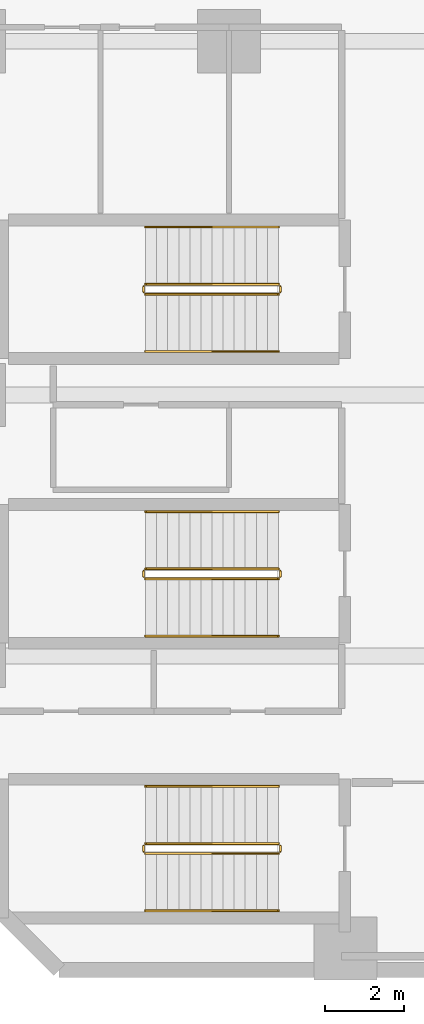
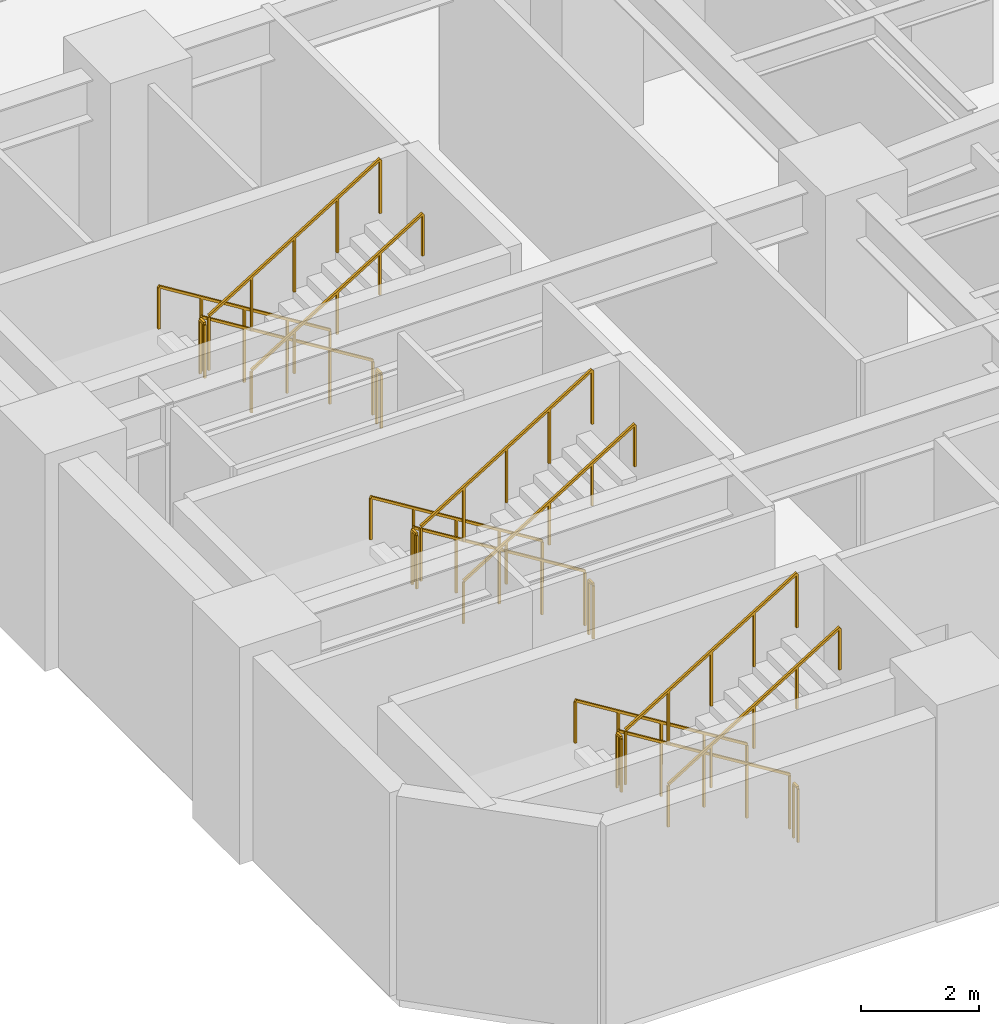
# One storey, part 5 of 7: 18 railings.
"""IFC4 building model written with IfcOpenShell, lengths in metres."""

from ifc_helpers import new_model, si_unit, direction, frame, origin, origin_2d, place, context, subcontext, project, spatial, rectangle, extrude, material, type_object, element, save


model = new_model("IFC4")

# Units and contexts
model_context = context("Model", 3, precision=1e-05, world=origin(), true_north=direction((0.0, 1.0)))
body_context = subcontext(model_context, "Body", "Model", "MODEL_VIEW")
ifc_project = project(units=[si_unit("LENGTHUNIT", "METRE"), si_unit("AREAUNIT", "SQUARE_METRE"), si_unit("VOLUMEUNIT", "CUBIC_METRE"), si_unit("PLANEANGLEUNIT", "RADIAN"), si_unit("MASSUNIT", "GRAM", prefix="KILO")], contexts=[model_context])

# Site, building, storey
site_placement = place(None, origin())
site = spatial("IfcSite", under=ifc_project, at=site_placement, CompositionType="ELEMENT")
building_placement = place(site_placement, origin())
building = spatial("IfcBuilding", under=site, at=building_placement, Name="Mawjaban Terraces University", CompositionType="ELEMENT")
storey_placement = place(building_placement, frame((0.0, 0.0, -4.5)))
storey = spatial("IfcBuildingStorey", under=building, at=storey_placement, Name="B1", CompositionType="ELEMENT", Elevation=-4.5)

# Railings
ifc_material_1 = material(Name="Brushed stainless steel 316", Category="steel")
railing_type_1 = type_object("IfcRailingType", Name="StairWallHandrail_900", PredefinedType="HANDRAIL", material=ifc_material_1)
railing_1_placement = place(storey_placement, frame((30.050048828125, 4.64990234375, 0.173095703125)))
element("IfcRailing", 1, at=railing_1_placement, inside=storey, type_object=railing_type_1, Name="B1 ST-1 stair handrail 1", PredefinedType="HANDRAIL", context=body_context, shape_type="SweptSolid", body=[
    extrude(rectangle(XDim=0.048095703125, YDim=0.048095703125, at=origin_2d()), frame((0.0, 0.0, 0.8759765625), z_axis=(-0.850623216509, 0.0, 0.525775754039), x_axis=(0.0, -1.0, 0.0)), (0.0, 0.0, 1.0), 3.9501953125),
    extrude(rectangle(XDim=0.0419921875, YDim=0.0419921875, at=origin_2d()), origin(), (0.0, 0.0, 1.0), 0.851806640625),
    extrude(rectangle(XDim=0.0419921875, YDim=0.0419921875, at=origin_2d()), frame((-0.840087890625, 0.0, 0.519287109375)), (0.0, 0.0, 1.0), 0.851806640625),
    extrude(rectangle(XDim=0.0419921875, YDim=0.0419921875, at=origin_2d()), frame((-1.68017578125, 0.0, 1.03857421875)), (0.0, 0.0, 1.0), 0.851806640625),
    extrude(rectangle(XDim=0.0419921875, YDim=0.0419921875, at=origin_2d()), frame((-2.52001953125, 0.0, 1.5576171875)), (0.0, 0.0, 1.0), 0.851806640625),
    extrude(rectangle(XDim=0.0419921875, YDim=0.0419921875, at=origin_2d()), frame((-3.360107421875, 0.0, 2.076904296875)), (0.0, 0.0, 1.0), 0.851806640625),
])
railing_2_placement = place(storey_placement, frame((26.68994140625, 1.5, 2.423095703125)))
element("IfcRailing", 2, at=railing_2_placement, inside=storey, type_object=railing_type_1, Name="B1 ST-1 stair handrail 2", PredefinedType="HANDRAIL", context=body_context, shape_type="SweptSolid", body=[
    extrude(rectangle(XDim=0.048095703125, YDim=0.048095703125, at=origin_2d()), frame((0.0, 0.0, 0.8759765625), z_axis=(0.850623216509, 0.0, 0.525775754039), x_axis=(0.0, 1.0, 0.0)), (0.0, 0.0, 1.0), 3.9501953125),
    extrude(rectangle(XDim=0.0419921875, YDim=0.0419921875, at=origin_2d()), origin(), (0.0, 0.0, 1.0), 0.851806640625),
    extrude(rectangle(XDim=0.0419921875, YDim=0.0419921875, at=origin_2d()), frame((0.840087890625, 0.0, 0.519287109375)), (0.0, 0.0, 1.0), 0.851806640625),
    extrude(rectangle(XDim=0.0419921875, YDim=0.0419921875, at=origin_2d()), frame((1.68017578125, 0.0, 1.03857421875)), (0.0, 0.0, 1.0), 0.851806640625),
    extrude(rectangle(XDim=0.0419921875, YDim=0.0419921875, at=origin_2d()), frame((2.52001953125, 0.0, 1.5576171875)), (0.0, 0.0, 1.0), 0.851806640625),
    extrude(rectangle(XDim=0.0419921875, YDim=0.0419921875, at=origin_2d()), frame((3.360107421875, 0.0, 2.076904296875)), (0.0, 0.0, 1.0), 0.851806640625),
])
railing_3_placement = place(storey_placement, frame((30.050048828125, 18.800048828125, 0.173095703125)))
element("IfcRailing", 3, at=railing_3_placement, inside=storey, type_object=railing_type_1, Name="B1 ST-2 stair handrail 1", PredefinedType="HANDRAIL", context=body_context, shape_type="SweptSolid", body=[
    extrude(rectangle(XDim=0.048095703125, YDim=0.048095703125, at=origin_2d()), frame((0.0, 0.0, 0.8759765625), z_axis=(-0.850623216509, 0.0, 0.525775754039), x_axis=(0.0, -1.0, 0.0)), (0.0, 0.0, 1.0), 3.9501953125),
    extrude(rectangle(XDim=0.0419921875, YDim=0.0419921875, at=origin_2d()), origin(), (0.0, 0.0, 1.0), 0.851806640625),
    extrude(rectangle(XDim=0.0419921875, YDim=0.0419921875, at=origin_2d()), frame((-0.840087890625, 0.0, 0.519287109375)), (0.0, 0.0, 1.0), 0.851806640625),
    extrude(rectangle(XDim=0.0419921875, YDim=0.0419921875, at=origin_2d()), frame((-1.68017578125, 0.0, 1.03857421875)), (0.0, 0.0, 1.0), 0.851806640625),
    extrude(rectangle(XDim=0.0419921875, YDim=0.0419921875, at=origin_2d()), frame((-2.52001953125, 0.0, 1.5576171875)), (0.0, 0.0, 1.0), 0.851806640625),
    extrude(rectangle(XDim=0.0419921875, YDim=0.0419921875, at=origin_2d()), frame((-3.360107421875, 0.0, 2.076904296875)), (0.0, 0.0, 1.0), 0.851806640625),
])
railing_4_placement = place(storey_placement, frame((26.68994140625, 15.64990234375, 2.423095703125)))
element("IfcRailing", 4, at=railing_4_placement, inside=storey, type_object=railing_type_1, Name="B1 ST-2 stair handrail 2", PredefinedType="HANDRAIL", context=body_context, shape_type="SweptSolid", body=[
    extrude(rectangle(XDim=0.048095703125, YDim=0.048095703125, at=origin_2d()), frame((0.0, 0.0, 0.8759765625), z_axis=(0.850623216509, 0.0, 0.525775754039), x_axis=(0.0, 1.0, 0.0)), (0.0, 0.0, 1.0), 3.9501953125),
    extrude(rectangle(XDim=0.0419921875, YDim=0.0419921875, at=origin_2d()), origin(), (0.0, 0.0, 1.0), 0.851806640625),
    extrude(rectangle(XDim=0.0419921875, YDim=0.0419921875, at=origin_2d()), frame((0.840087890625, 0.0, 0.519287109375)), (0.0, 0.0, 1.0), 0.851806640625),
    extrude(rectangle(XDim=0.0419921875, YDim=0.0419921875, at=origin_2d()), frame((1.68017578125, 0.0, 1.03857421875)), (0.0, 0.0, 1.0), 0.851806640625),
    extrude(rectangle(XDim=0.0419921875, YDim=0.0419921875, at=origin_2d()), frame((2.52001953125, 0.0, 1.5576171875)), (0.0, 0.0, 1.0), 0.851806640625),
    extrude(rectangle(XDim=0.0419921875, YDim=0.0419921875, at=origin_2d()), frame((3.360107421875, 0.0, 2.076904296875)), (0.0, 0.0, 1.0), 0.851806640625),
])
railing_5_placement = place(storey_placement, frame((30.050048828125, 11.60009765625, 0.173095703125)))
element("IfcRailing", 5, at=railing_5_placement, inside=storey, type_object=railing_type_1, Name="B1 ST-3 stair handrail 1", PredefinedType="HANDRAIL", context=body_context, shape_type="SweptSolid", body=[
    extrude(rectangle(XDim=0.048095703125, YDim=0.048095703125, at=origin_2d()), frame((0.0, 0.0, 0.8759765625), z_axis=(-0.850623216509, 0.0, 0.525775754039), x_axis=(0.0, -1.0, 0.0)), (0.0, 0.0, 1.0), 3.9501953125),
    extrude(rectangle(XDim=0.0419921875, YDim=0.0419921875, at=origin_2d()), origin(), (0.0, 0.0, 1.0), 0.851806640625),
    extrude(rectangle(XDim=0.0419921875, YDim=0.0419921875, at=origin_2d()), frame((-0.840087890625, 0.0, 0.519287109375)), (0.0, 0.0, 1.0), 0.851806640625),
    extrude(rectangle(XDim=0.0419921875, YDim=0.0419921875, at=origin_2d()), frame((-1.68017578125, 0.0, 1.03857421875)), (0.0, 0.0, 1.0), 0.851806640625),
    extrude(rectangle(XDim=0.0419921875, YDim=0.0419921875, at=origin_2d()), frame((-2.52001953125, 0.0, 1.5576171875)), (0.0, 0.0, 1.0), 0.851806640625),
    extrude(rectangle(XDim=0.0419921875, YDim=0.0419921875, at=origin_2d()), frame((-3.360107421875, 0.0, 2.076904296875)), (0.0, 0.0, 1.0), 0.851806640625),
])
railing_6_placement = place(storey_placement, frame((26.68994140625, 8.449951171875, 2.423095703125)))
element("IfcRailing", 6, at=railing_6_placement, inside=storey, type_object=railing_type_1, Name="B1 ST-3 stair handrail 2", PredefinedType="HANDRAIL", context=body_context, shape_type="SweptSolid", body=[
    extrude(rectangle(XDim=0.048095703125, YDim=0.048095703125, at=origin_2d()), frame((0.0, 0.0, 0.8759765625), z_axis=(0.850623216509, 0.0, 0.525775754039), x_axis=(0.0, 1.0, 0.0)), (0.0, 0.0, 1.0), 3.9501953125),
    extrude(rectangle(XDim=0.0419921875, YDim=0.0419921875, at=origin_2d()), origin(), (0.0, 0.0, 1.0), 0.851806640625),
    extrude(rectangle(XDim=0.0419921875, YDim=0.0419921875, at=origin_2d()), frame((0.840087890625, 0.0, 0.519287109375)), (0.0, 0.0, 1.0), 0.851806640625),
    extrude(rectangle(XDim=0.0419921875, YDim=0.0419921875, at=origin_2d()), frame((1.68017578125, 0.0, 1.03857421875)), (0.0, 0.0, 1.0), 0.851806640625),
    extrude(rectangle(XDim=0.0419921875, YDim=0.0419921875, at=origin_2d()), frame((2.52001953125, 0.0, 1.5576171875)), (0.0, 0.0, 1.0), 0.851806640625),
    extrude(rectangle(XDim=0.0419921875, YDim=0.0419921875, at=origin_2d()), frame((3.360107421875, 0.0, 2.076904296875)), (0.0, 0.0, 1.0), 0.851806640625),
])
ifc_material_2 = material(Name="Galvanised painted steel S355", Category="steel")
railing_type_2 = type_object("IfcRailingType", Name="StairWellGuard_1150", PredefinedType="BALUSTRADE", material=ifc_material_2)
railing_7_placement = place(storey_placement, frame((30.050048828125, 3.199951171875, 0.173095703125)))
element("IfcRailing", 7, at=railing_7_placement, inside=storey, type_object=railing_type_2, Name="B1 ST-1 stair guard 1", PredefinedType="BALUSTRADE", context=body_context, shape_type="SweptSolid", body=[
    extrude(rectangle(XDim=0.048095703125, YDim=0.048095703125, at=origin_2d()), frame((0.0, 0.0, 1.1259765625), z_axis=(-0.850623216509, 0.0, 0.525775754039), x_axis=(0.0, -1.0, 0.0)), (0.0, 0.0, 1.0), 3.9501953125),
    extrude(rectangle(XDim=0.0419921875, YDim=0.0419921875, at=origin_2d()), origin(), (0.0, 0.0, 1.0), 1.101806640625),
    extrude(rectangle(XDim=0.0419921875, YDim=0.0419921875, at=origin_2d()), frame((-0.840087890625, 0.0, 0.519287109375)), (0.0, 0.0, 1.0), 1.101806640625),
    extrude(rectangle(XDim=0.0419921875, YDim=0.0419921875, at=origin_2d()), frame((-1.68017578125, 0.0, 1.03857421875)), (0.0, 0.0, 1.0), 1.101806640625),
    extrude(rectangle(XDim=0.0419921875, YDim=0.0419921875, at=origin_2d()), frame((-2.52001953125, 0.0, 1.5576171875)), (0.0, 0.0, 1.0), 1.101806640625),
    extrude(rectangle(XDim=0.0419921875, YDim=0.0419921875, at=origin_2d()), frame((-3.360107421875, 0.0, 2.076904296875)), (0.0, 0.0, 1.0), 1.101806640625),
])
railing_8_placement = place(storey_placement, frame((26.639892578125, 3.14990234375, 2.25)))
element("IfcRailing", 8, at=railing_8_placement, inside=storey, type_object=railing_type_2, Name="B1 ST-1 stair guard 2", PredefinedType="BALUSTRADE", context=body_context, shape_type="SweptSolid", body=[
    extrude(rectangle(XDim=0.048095703125, YDim=0.048095703125, at=origin_2d()), frame((0.0, 0.0, 1.1259765625), z_axis=(0.0, -1.0, 0.0), x_axis=(1.0, 0.0, 0.0)), (0.0, 0.0, 1.0), 0.14990234375),
    extrude(rectangle(XDim=0.0419921875, YDim=0.0419921875, at=origin_2d()), origin(), (0.0, 0.0, 1.0), 1.101806640625),
    extrude(rectangle(XDim=0.0419921875, YDim=0.0419921875, at=origin_2d()), frame((0.0, -0.14990234375, 0.0)), (0.0, 0.0, 1.0), 1.101806640625),
])
railing_9_placement = place(storey_placement, frame((26.68994140625, 2.949951171875, 2.423095703125)))
element("IfcRailing", 9, at=railing_9_placement, inside=storey, type_object=railing_type_2, Name="B1 ST-1 stair guard 3", PredefinedType="BALUSTRADE", context=body_context, shape_type="SweptSolid", body=[
    extrude(rectangle(XDim=0.048095703125, YDim=0.048095703125, at=origin_2d()), frame((0.0, 0.0, 1.1259765625), z_axis=(0.850623216509, 0.0, 0.525775754039), x_axis=(0.0, 1.0, 0.0)), (0.0, 0.0, 1.0), 3.9501953125),
    extrude(rectangle(XDim=0.0419921875, YDim=0.0419921875, at=origin_2d()), origin(), (0.0, 0.0, 1.0), 1.101806640625),
    extrude(rectangle(XDim=0.0419921875, YDim=0.0419921875, at=origin_2d()), frame((0.840087890625, 0.0, 0.519287109375)), (0.0, 0.0, 1.0), 1.101806640625),
    extrude(rectangle(XDim=0.0419921875, YDim=0.0419921875, at=origin_2d()), frame((1.68017578125, 0.0, 1.03857421875)), (0.0, 0.0, 1.0), 1.101806640625),
    extrude(rectangle(XDim=0.0419921875, YDim=0.0419921875, at=origin_2d()), frame((2.52001953125, 0.0, 1.5576171875)), (0.0, 0.0, 1.0), 1.101806640625),
    extrude(rectangle(XDim=0.0419921875, YDim=0.0419921875, at=origin_2d()), frame((3.360107421875, 0.0, 2.076904296875)), (0.0, 0.0, 1.0), 1.101806640625),
])
railing_10_placement = place(storey_placement, frame((30.10009765625, 3.14990234375, 0.0)))
element("IfcRailing", 10, at=railing_10_placement, inside=storey, type_object=railing_type_2, Name="B1 ST-1 stair guard 4", PredefinedType="BALUSTRADE", context=body_context, shape_type="SweptSolid", body=[
    extrude(rectangle(XDim=0.048095703125, YDim=0.048095703125, at=origin_2d()), frame((0.0, 0.0, 1.1259765625), z_axis=(0.0, -1.0, 0.0), x_axis=(1.0, 0.0, 0.0)), (0.0, 0.0, 1.0), 0.14990234375),
    extrude(rectangle(XDim=0.0419921875, YDim=0.0419921875, at=origin_2d()), origin(), (0.0, 0.0, 1.0), 1.101806640625),
    extrude(rectangle(XDim=0.0419921875, YDim=0.0419921875, at=origin_2d()), frame((0.0, -0.14990234375, 0.0)), (0.0, 0.0, 1.0), 1.101806640625),
])
railing_11_placement = place(storey_placement, frame((30.050048828125, 17.35009765625, 0.173095703125)))
element("IfcRailing", 11, at=railing_11_placement, inside=storey, type_object=railing_type_2, Name="B1 ST-2 stair guard 1", PredefinedType="BALUSTRADE", context=body_context, shape_type="SweptSolid", body=[
    extrude(rectangle(XDim=0.048095703125, YDim=0.048095703125, at=origin_2d()), frame((0.0, 0.0, 1.1259765625), z_axis=(-0.850623216509, 0.0, 0.525775754039), x_axis=(0.0, -1.0, 0.0)), (0.0, 0.0, 1.0), 3.9501953125),
    extrude(rectangle(XDim=0.0419921875, YDim=0.0419921875, at=origin_2d()), origin(), (0.0, 0.0, 1.0), 1.101806640625),
    extrude(rectangle(XDim=0.0419921875, YDim=0.0419921875, at=origin_2d()), frame((-0.840087890625, 0.0, 0.519287109375)), (0.0, 0.0, 1.0), 1.101806640625),
    extrude(rectangle(XDim=0.0419921875, YDim=0.0419921875, at=origin_2d()), frame((-1.68017578125, 0.0, 1.03857421875)), (0.0, 0.0, 1.0), 1.101806640625),
    extrude(rectangle(XDim=0.0419921875, YDim=0.0419921875, at=origin_2d()), frame((-2.52001953125, 0.0, 1.5576171875)), (0.0, 0.0, 1.0), 1.101806640625),
    extrude(rectangle(XDim=0.0419921875, YDim=0.0419921875, at=origin_2d()), frame((-3.360107421875, 0.0, 2.076904296875)), (0.0, 0.0, 1.0), 1.101806640625),
])
railing_12_placement = place(storey_placement, frame((26.639892578125, 17.300048828125, 2.25)))
element("IfcRailing", 12, at=railing_12_placement, inside=storey, type_object=railing_type_2, Name="B1 ST-2 stair guard 2", PredefinedType="BALUSTRADE", context=body_context, shape_type="SweptSolid", body=[
    extrude(rectangle(XDim=0.048095703125, YDim=0.048095703125, at=origin_2d()), frame((0.0, 0.0, 1.1259765625), z_axis=(0.0, -1.0, 0.0), x_axis=(1.0, 0.0, 0.0)), (0.0, 0.0, 1.0), 0.150146484375),
    extrude(rectangle(XDim=0.0419921875, YDim=0.0419921875, at=origin_2d()), origin(), (0.0, 0.0, 1.0), 1.101806640625),
    extrude(rectangle(XDim=0.0419921875, YDim=0.0419921875, at=origin_2d()), frame((0.0, -0.150146484375, 0.0)), (0.0, 0.0, 1.0), 1.101806640625),
])
railing_13_placement = place(storey_placement, frame((26.68994140625, 17.10009765625, 2.423095703125)))
element("IfcRailing", 13, at=railing_13_placement, inside=storey, type_object=railing_type_2, Name="B1 ST-2 stair guard 3", PredefinedType="BALUSTRADE", context=body_context, shape_type="SweptSolid", body=[
    extrude(rectangle(XDim=0.048095703125, YDim=0.048095703125, at=origin_2d()), frame((0.0, 0.0, 1.1259765625), z_axis=(0.850623216509, 0.0, 0.525775754039), x_axis=(0.0, 1.0, 0.0)), (0.0, 0.0, 1.0), 3.9501953125),
    extrude(rectangle(XDim=0.0419921875, YDim=0.0419921875, at=origin_2d()), origin(), (0.0, 0.0, 1.0), 1.101806640625),
    extrude(rectangle(XDim=0.0419921875, YDim=0.0419921875, at=origin_2d()), frame((0.840087890625, 0.0, 0.519287109375)), (0.0, 0.0, 1.0), 1.101806640625),
    extrude(rectangle(XDim=0.0419921875, YDim=0.0419921875, at=origin_2d()), frame((1.68017578125, 0.0, 1.03857421875)), (0.0, 0.0, 1.0), 1.101806640625),
    extrude(rectangle(XDim=0.0419921875, YDim=0.0419921875, at=origin_2d()), frame((2.52001953125, 0.0, 1.5576171875)), (0.0, 0.0, 1.0), 1.101806640625),
    extrude(rectangle(XDim=0.0419921875, YDim=0.0419921875, at=origin_2d()), frame((3.360107421875, 0.0, 2.076904296875)), (0.0, 0.0, 1.0), 1.101806640625),
])
railing_14_placement = place(storey_placement, frame((30.10009765625, 17.300048828125, 0.0)))
element("IfcRailing", 14, at=railing_14_placement, inside=storey, type_object=railing_type_2, Name="B1 ST-2 stair guard 4", PredefinedType="BALUSTRADE", context=body_context, shape_type="SweptSolid", body=[
    extrude(rectangle(XDim=0.048095703125, YDim=0.048095703125, at=origin_2d()), frame((0.0, 0.0, 1.1259765625), z_axis=(0.0, -1.0, 0.0), x_axis=(1.0, 0.0, 0.0)), (0.0, 0.0, 1.0), 0.150146484375),
    extrude(rectangle(XDim=0.0419921875, YDim=0.0419921875, at=origin_2d()), origin(), (0.0, 0.0, 1.0), 1.101806640625),
    extrude(rectangle(XDim=0.0419921875, YDim=0.0419921875, at=origin_2d()), frame((0.0, -0.150146484375, 0.0)), (0.0, 0.0, 1.0), 1.101806640625),
])
railing_15_placement = place(storey_placement, frame((30.050048828125, 10.14990234375, 0.173095703125)))
element("IfcRailing", 15, at=railing_15_placement, inside=storey, type_object=railing_type_2, Name="B1 ST-3 stair guard 1", PredefinedType="BALUSTRADE", context=body_context, shape_type="SweptSolid", body=[
    extrude(rectangle(XDim=0.048095703125, YDim=0.048095703125, at=origin_2d()), frame((0.0, 0.0, 1.1259765625), z_axis=(-0.850623216509, 0.0, 0.525775754039), x_axis=(0.0, -1.0, 0.0)), (0.0, 0.0, 1.0), 3.9501953125),
    extrude(rectangle(XDim=0.0419921875, YDim=0.0419921875, at=origin_2d()), origin(), (0.0, 0.0, 1.0), 1.101806640625),
    extrude(rectangle(XDim=0.0419921875, YDim=0.0419921875, at=origin_2d()), frame((-0.840087890625, 0.0, 0.519287109375)), (0.0, 0.0, 1.0), 1.101806640625),
    extrude(rectangle(XDim=0.0419921875, YDim=0.0419921875, at=origin_2d()), frame((-1.68017578125, 0.0, 1.03857421875)), (0.0, 0.0, 1.0), 1.101806640625),
    extrude(rectangle(XDim=0.0419921875, YDim=0.0419921875, at=origin_2d()), frame((-2.52001953125, 0.0, 1.5576171875)), (0.0, 0.0, 1.0), 1.101806640625),
    extrude(rectangle(XDim=0.0419921875, YDim=0.0419921875, at=origin_2d()), frame((-3.360107421875, 0.0, 2.076904296875)), (0.0, 0.0, 1.0), 1.101806640625),
])
railing_16_placement = place(storey_placement, frame((26.639892578125, 10.10009765625, 2.25)))
element("IfcRailing", 16, at=railing_16_placement, inside=storey, type_object=railing_type_2, Name="B1 ST-3 stair guard 2", PredefinedType="BALUSTRADE", context=body_context, shape_type="SweptSolid", body=[
    extrude(rectangle(XDim=0.048095703125, YDim=0.048095703125, at=origin_2d()), frame((0.0, 0.0, 1.1259765625), z_axis=(0.0, -1.0, 0.0), x_axis=(1.0, 0.0, 0.0)), (0.0, 0.0, 1.0), 0.150146484375),
    extrude(rectangle(XDim=0.0419921875, YDim=0.0419921875, at=origin_2d()), origin(), (0.0, 0.0, 1.0), 1.101806640625),
    extrude(rectangle(XDim=0.0419921875, YDim=0.0419921875, at=origin_2d()), frame((0.0, -0.150146484375, 0.0)), (0.0, 0.0, 1.0), 1.101806640625),
])
railing_17_placement = place(storey_placement, frame((26.68994140625, 9.89990234375, 2.423095703125)))
element("IfcRailing", 17, at=railing_17_placement, inside=storey, type_object=railing_type_2, Name="B1 ST-3 stair guard 3", PredefinedType="BALUSTRADE", context=body_context, shape_type="SweptSolid", body=[
    extrude(rectangle(XDim=0.048095703125, YDim=0.048095703125, at=origin_2d()), frame((0.0, 0.0, 1.1259765625), z_axis=(0.850623216509, 0.0, 0.525775754039), x_axis=(0.0, 1.0, 0.0)), (0.0, 0.0, 1.0), 3.9501953125),
    extrude(rectangle(XDim=0.0419921875, YDim=0.0419921875, at=origin_2d()), origin(), (0.0, 0.0, 1.0), 1.101806640625),
    extrude(rectangle(XDim=0.0419921875, YDim=0.0419921875, at=origin_2d()), frame((0.840087890625, 0.0, 0.519287109375)), (0.0, 0.0, 1.0), 1.101806640625),
    extrude(rectangle(XDim=0.0419921875, YDim=0.0419921875, at=origin_2d()), frame((1.68017578125, 0.0, 1.03857421875)), (0.0, 0.0, 1.0), 1.101806640625),
    extrude(rectangle(XDim=0.0419921875, YDim=0.0419921875, at=origin_2d()), frame((2.52001953125, 0.0, 1.5576171875)), (0.0, 0.0, 1.0), 1.101806640625),
    extrude(rectangle(XDim=0.0419921875, YDim=0.0419921875, at=origin_2d()), frame((3.360107421875, 0.0, 2.076904296875)), (0.0, 0.0, 1.0), 1.101806640625),
])
railing_18_placement = place(storey_placement, frame((30.10009765625, 10.10009765625, 0.0)))
element("IfcRailing", 18, at=railing_18_placement, inside=storey, type_object=railing_type_2, Name="B1 ST-3 stair guard 4", PredefinedType="BALUSTRADE", context=body_context, shape_type="SweptSolid", body=[
    extrude(rectangle(XDim=0.048095703125, YDim=0.048095703125, at=origin_2d()), frame((0.0, 0.0, 1.1259765625), z_axis=(0.0, -1.0, 0.0), x_axis=(1.0, 0.0, 0.0)), (0.0, 0.0, 1.0), 0.150146484375),
    extrude(rectangle(XDim=0.0419921875, YDim=0.0419921875, at=origin_2d()), origin(), (0.0, 0.0, 1.0), 1.101806640625),
    extrude(rectangle(XDim=0.0419921875, YDim=0.0419921875, at=origin_2d()), frame((0.0, -0.150146484375, 0.0)), (0.0, 0.0, 1.0), 1.101806640625),
])

save(model, "model.ifc")
